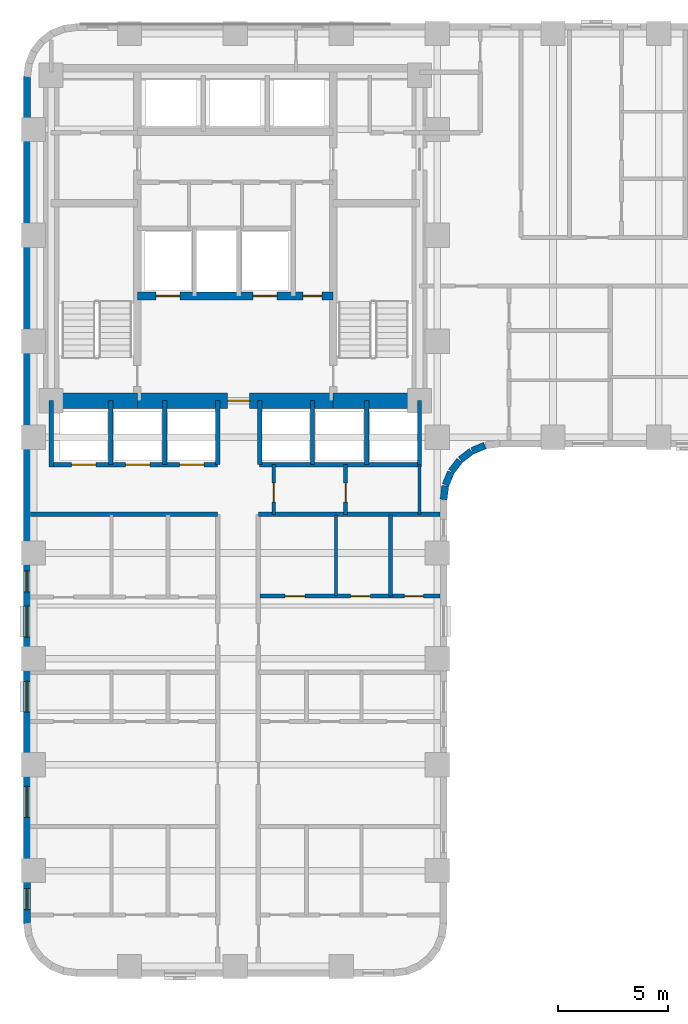
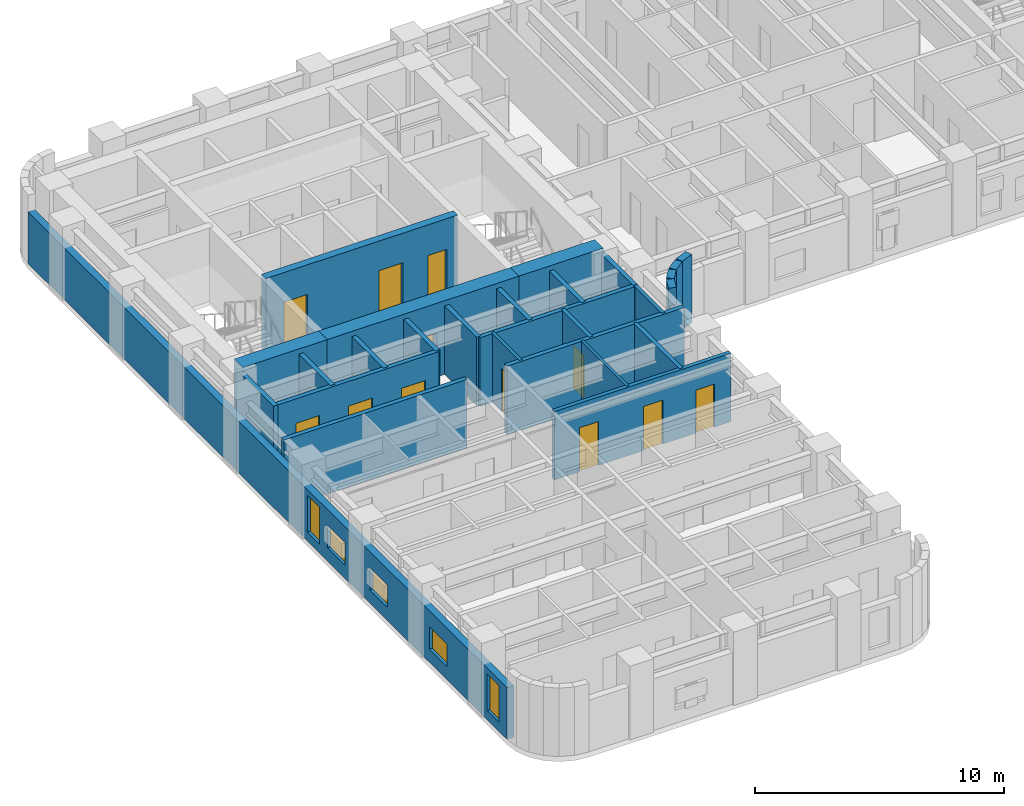
# One storey, part 4 of 11: 28 walls, 12 doors, 5 windows, 17 openings.
"""IFC4 building model written with IfcOpenShell, lengths in metres."""

from ifc_helpers import new_model, si_unit, direction, frame, frame_2d, origin, place, context, subcontext, project, spatial, rectangle, extrude, material, layer, layer_set, type_object, element, fill, save


model = new_model("IFC4")

# Units and contexts
model_context = context("Model", 3, precision=1e-05, world=origin(), true_north=direction((0.0, 1.0)))
body_context = subcontext(model_context, "Body", "Model", "MODEL_VIEW")
ifc_project = project(units=[si_unit("LENGTHUNIT", "METRE"), si_unit("AREAUNIT", "SQUARE_METRE"), si_unit("VOLUMEUNIT", "CUBIC_METRE"), si_unit("PLANEANGLEUNIT", "RADIAN"), si_unit("MASSUNIT", "GRAM", prefix="KILO")], contexts=[model_context])

# Site, building, storey
site_placement = place(None, origin())
site = spatial("IfcSite", under=ifc_project, at=site_placement, CompositionType="ELEMENT")
building_placement = place(site_placement, origin())
building = spatial("IfcBuilding", under=site, at=building_placement, Name="Orvandelia Arch Residences", CompositionType="ELEMENT")
storey_placement = place(building_placement, frame((0.0, 0.0, 25.0)))
storey = spatial("IfcBuildingStorey", under=building, at=storey_placement, Name="L05", CompositionType="ELEMENT", Elevation=25.0)

# Wall, openings, doors
ifc_material_1 = material(Name="Concrete C50/60", Category="concrete")
ifc_layer_1 = layer(ifc_material_1, 0.35009765625, Name="Concrete C50/60", Category="concrete")
ifc_layer_set_1 = layer_set([ifc_layer_1], Name="Concrete C50/60")
wall_type_1 = type_object("IfcWallType", Name="WL-CORE-350", PredefinedType="SHEAR", material=ifc_layer_set_1)
wall_1_placement = place(storey_placement, frame((9.9599609375, 35.64990234375, 0.0), z_axis=(0.0, 0.0, 1.0), x_axis=(1.0, 0.0, 0.0)))
wall_1 = element("IfcWall", 1, at=wall_1_placement, inside=storey, type_object=wall_type_1, Name="Core Shear Wall L05-HZ3", PredefinedType="SHEAR", context=body_context, shape_type="SweptSolid", body=[
    extrude(rectangle(XDim=8.880126953125, YDim=0.35009765625, at=frame_2d((4.43994140625, 0.0))), origin(), (0.0, 0.0, 1.0), 3.60009765625),
])
opening_1_placement = place(wall_1_placement, frame((0.840087890625, 0.0, 0.0)))
opening_1 = element("IfcOpeningElement", 2, at=opening_1_placement, cuts=wall_1, Name="Opening FLD", PredefinedType="OPENING", context=body_context, shape_type="SweptSolid", body=[
    extrude(rectangle(XDim=1.10009765625, YDim=2.14990234375, at=frame_2d((0.550048828125, 1.074951171875))), frame((0.0, 0.18505859375, 0.0), z_axis=(0.0, -1.0, 0.0), x_axis=(1.0, 0.0, 0.0)), (0.0, 0.0, 1.0), 0.3701171875),
])
opening_2_placement = place(wall_1_placement, frame((5.239990234375, 0.0, 0.0)))
opening_2 = element("IfcOpeningElement", 3, at=opening_2_placement, cuts=wall_1, Name="Opening FLD", PredefinedType="OPENING", context=body_context, shape_type="SweptSolid", body=[
    extrude(rectangle(XDim=1.10009765625, YDim=2.14990234375, at=frame_2d((0.550048828125, 1.074951171875))), frame((0.0, 0.18505859375, 0.0), z_axis=(0.0, -1.0, 0.0), x_axis=(1.0, 0.0, 0.0)), (0.0, 0.0, 1.0), 0.3701171875),
])
opening_3_placement = place(wall_1_placement, frame((7.5, 0.0, 0.0)))
opening_3 = element("IfcOpeningElement", 4, at=opening_3_placement, cuts=wall_1, Name="Opening D5", PredefinedType="OPENING", context=body_context, shape_type="SweptSolid", body=[
    extrude(rectangle(XDim=0.8798828125, YDim=2.10009765625, at=frame_2d((0.43994140625, 1.050048828125))), frame((0.0, 0.18505859375, 0.0), z_axis=(0.0, -1.0, 0.0), x_axis=(1.0, 0.0, 0.0)), (0.0, 0.0, 1.0), 0.3701171875),
])
ifc_material_2 = material(Name="Firefighting Lift Stainless Sliding Door")
door_type_1 = type_object("IfcDoorType", Name="DR-FLFT-1100", OperationType="NOTDEFINED", PredefinedType="DOOR", material=ifc_material_2)
door_1_placement = place(opening_1_placement, origin())
door_1 = element("IfcDoor", 5, at=door_1_placement, inside=storey, type_object=door_type_1, Name="Firefighting Lift Landing Door FLD-FL1-L05", OperationType="SLIDING_TO_LEFT", OverallHeight=2.14990234375, OverallWidth=1.10009765625, PredefinedType="DOOR", context=body_context, shape_type="SweptSolid", body=[
    extrude(rectangle(XDim=1.10009765625, YDim=2.14990234375, at=frame_2d((0.550048828125, 1.074951171875))), frame((0.0, 0.02490234375, 0.0), z_axis=(0.0, -1.0, 0.0), x_axis=(1.0, 0.0, 0.0)), (0.0, 0.0, 1.0), 0.050048828125),
])
fill(opening_1, door_1)
door_2_placement = place(opening_2_placement, origin())
door_2 = element("IfcDoor", 6, at=door_2_placement, inside=storey, type_object=door_type_1, Name="Firefighting Lift Landing Door FLD-FL2-L05", OperationType="SLIDING_TO_RIGHT", OverallHeight=2.14990234375, OverallWidth=1.10009765625, PredefinedType="DOOR", context=body_context, shape_type="SweptSolid", body=[
    extrude(rectangle(XDim=1.10009765625, YDim=2.14990234375, at=frame_2d((0.550048828125, 1.074951171875))), frame((0.0, 0.02490234375, 0.0), z_axis=(0.0, -1.0, 0.0), x_axis=(1.0, 0.0, 0.0)), (0.0, 0.0, 1.0), 0.050048828125),
])
fill(opening_2, door_2)
ifc_material_3 = material(Name="Painted Galvanised Steel Service Door", Category="steel")
door_type_2 = type_object("IfcDoorType", Name="DR-SRV-880", OperationType="NOTDEFINED", PredefinedType="DOOR", material=ifc_material_3)
door_3_placement = place(opening_3_placement, origin())
door_3 = element("IfcDoor", 7, at=door_3_placement, inside=storey, type_object=door_type_2, Name="Core Stairway Passage South Fire Door L05", OperationType="SINGLE_SWING_LEFT", OverallHeight=2.10009765625, OverallWidth=0.8798828125, PredefinedType="DOOR", context=body_context, shape_type="SweptSolid", body=[
    extrude(rectangle(XDim=0.8798828125, YDim=2.10009765625, at=frame_2d((0.43994140625, 1.050048828125))), frame((0.0, 0.02490234375, 0.0), z_axis=(0.0, -1.0, 0.0), x_axis=(1.0, 0.0, 0.0)), (0.0, 0.0, 1.0), 0.050048828125),
])
fill(opening_3, door_3)

# Wall
ifc_material_4 = material(Name="Concrete C80/95", Category="concrete")
ifc_layer_2 = layer(ifc_material_4, 0.699951171875, Name="Concrete C80/95", Category="concrete")
ifc_layer_set_2 = layer_set([ifc_layer_2], Name="Concrete C80/95")
wall_type_2 = type_object("IfcWallType", Name="WL-CORE-700", PredefinedType="SHEAR", material=ifc_layer_set_2)
wall_2_placement = place(storey_placement, frame((6.050048828125, 30.89990234375, 0.0), z_axis=(0.0, 0.0, 1.0), x_axis=(1.0, 0.0, 0.0)))
element("IfcWall", 8, at=wall_2_placement, inside=storey, type_object=wall_type_2, Name="Core Shear Wall L05-SW", PredefinedType="SHEAR", context=body_context, shape_type="SweptSolid", body=[
    extrude(rectangle(XDim=3.909912109375, YDim=0.699951171875, at=frame_2d((1.955078125, 0.0))), origin(), (0.0, 0.0, 1.0), 3.60009765625),
])

# Wall, opening, door
wall_3_placement = place(storey_placement, frame((9.9599609375, 30.89990234375, 0.0), z_axis=(0.0, 0.0, 1.0), x_axis=(1.0, 0.0, 0.0)))
wall_3 = element("IfcWall", 9, at=wall_3_placement, inside=storey, type_object=wall_type_2, Name="Core Shear Wall L05-SM", PredefinedType="SHEAR", context=body_context, shape_type="SweptSolid", body=[
    extrude(rectangle(XDim=8.880126953125, YDim=0.699951171875, at=frame_2d((4.43994140625, 0.0))), origin(), (0.0, 0.0, 1.0), 3.60009765625),
])
opening_4_placement = place(wall_3_placement, frame((4.090087890625, 0.0, 0.0)))
opening_4 = element("IfcOpeningElement", 10, at=opening_4_placement, cuts=wall_3, Name="Opening D6", PredefinedType="OPENING", context=body_context, shape_type="SweptSolid", body=[
    extrude(rectangle(XDim=1.0, YDim=2.14990234375, at=frame_2d((0.5, 1.074951171875))), frame((0.0, 0.35986328125, 0.0), z_axis=(0.0, -1.0, 0.0), x_axis=(1.0, 0.0, 0.0)), (0.0, 0.0, 1.0), 0.719970703125),
])
ifc_material_5 = material(Name="Smokeproof Painted Steel Fire Door", Category="steel")
door_type_3 = type_object("IfcDoorType", Name="DR-FD60-1000", OperationType="NOTDEFINED", PredefinedType="DOOR", material=ifc_material_5)
door_4_placement = place(opening_4_placement, origin())
door_4 = element("IfcDoor", 11, at=door_4_placement, inside=storey, type_object=door_type_3, Name="Firefighting Lobby Smokeproof Door L05", OperationType="SINGLE_SWING_LEFT", OverallHeight=2.14990234375, OverallWidth=1.0, PredefinedType="DOOR", context=body_context, shape_type="SweptSolid", body=[
    extrude(rectangle(XDim=1.0, YDim=2.14990234375, at=frame_2d((0.5, 1.074951171875))), frame((0.0, 0.02490234375, 0.0), z_axis=(0.0, -1.0, 0.0), x_axis=(1.0, 0.0, 0.0)), (0.0, 0.0, 1.0), 0.050048828125),
])
fill(opening_4, door_4)

# Walls
wall_4_placement = place(storey_placement, frame((18.840087890625, 30.89990234375, 0.0), z_axis=(0.0, 0.0, 1.0), x_axis=(1.0, 0.0, 0.0)))
element("IfcWall", 12, at=wall_4_placement, inside=storey, type_object=wall_type_2, Name="Core Shear Wall L05-SE", PredefinedType="SHEAR", context=body_context, shape_type="SweptSolid", body=[
    extrude(rectangle(XDim=3.909912109375, YDim=0.699951171875, at=frame_2d((1.955078125, 0.0))), origin(), (0.0, 0.0, 1.0), 3.60009765625),
])
ifc_material_6 = material(Name="Fire-Rated Corridor Partition")
ifc_layer_3 = layer(ifc_material_6, 0.199951171875, Name="Fire-Rated Corridor Partition")
ifc_layer_set_3 = layer_set([ifc_layer_3], Name="Fire-Rated Corridor Partition")
wall_type_3 = type_object("IfcWallType", Name="WL-CORR-200", PredefinedType="PARTITIONING", material=ifc_layer_set_3)
wall_5_placement = place(storey_placement, frame((5.1201171875, 25.75, 0.0), z_axis=(0.0, 0.0, 1.0), x_axis=(1.0, 0.0, 0.0)))
element("IfcWall", 13, at=wall_5_placement, inside=storey, type_object=wall_type_3, Name="Interior Partition Wall WL-L05-WCLS-W", PredefinedType="PARTITIONING", context=body_context, shape_type="SweptSolid", body=[
    extrude(rectangle(XDim=8.47998046875, YDim=0.199951171875, at=frame_2d((4.239990234375, 0.0))), origin(), (0.0, 0.0, 1.0), 3.35009765625),
])
wall_6_placement = place(storey_placement, frame((15.449951171875, 25.75, 0.0), z_axis=(0.0, 0.0, 1.0), x_axis=(1.0, 0.0, 0.0)))
element("IfcWall", 14, at=wall_6_placement, inside=storey, type_object=wall_type_3, Name="Interior Partition Wall WL-L05-WCLS-E", PredefinedType="PARTITIONING", context=body_context, shape_type="SweptSolid", body=[
    extrude(rectangle(XDim=8.22998046875, YDim=0.199951171875, at=frame_2d((4.114990234375, 0.0))), origin(), (0.0, 0.0, 1.0), 3.35009765625),
])
ifc_material_7 = material(Name="Precast concrete C40/50", Category="concrete")
ifc_layer_4 = layer(ifc_material_7, 0.320068359375, Name="Precast concrete C40/50", Category="concrete")
ifc_layer_set_4 = layer_set([ifc_layer_4], Name="Precast concrete C40/50")
wall_type_4 = type_object("IfcWallType", Name="WL-EXT-STONE-320", PredefinedType="STANDARD", material=ifc_layer_set_4)
wall_7_placement = place(storey_placement, frame((25.717529296875, 28.865966796875, 0.0), z_axis=(0.0, 0.0, 1.0), x_axis=(-0.923836271867, -0.382787856107, 0.0)))
element("IfcWall", 15, at=wall_7_placement, inside=storey, type_object=wall_type_4, Name="Coral-Limestone Precast Facade Wall L05-023", PredefinedType="STANDARD", context=body_context, shape_type="SweptSolid", body=[
    extrude(rectangle(XDim=0.626220703125, YDim=0.320068359375, at=frame_2d((0.31298828125, 0.0))), origin(), (0.0, 0.0, 1.0), 3.35009765625),
])
for number, where, z_axis, x_axis, name in (
    (16, (25.1025390625, 28.60546875, 0.0), (0.0, 0.0, 1.0), (-0.793405610854, -0.608693302629, 0.0), "Coral-Limestone Precast Facade Wall L05-024"),
    (17, (24.575927734375, 28.194580078125, 0.0), (0.0, 0.0, 1.0), (-0.608693302629, -0.793405610854, 0.0), "Coral-Limestone Precast Facade Wall L05-025"),
):
    element("IfcWall", number, at=place(storey_placement, frame(where, z_axis=z_axis, x_axis=x_axis)), inside=storey, type_object=wall_type_4, Name=name, PredefinedType="STANDARD", context=body_context, shape_type="SweptSolid", body=[
        extrude(rectangle(XDim=0.62646484375, YDim=0.320068359375, at=frame_2d((0.313232421875, 0.0))), origin(), (0.0, 0.0, 1.0), 3.35009765625),
    ])
wall_8_placement = place(storey_placement, frame((24.173583984375, 27.6611328125, 0.0), z_axis=(0.0, 0.0, 1.0), x_axis=(-0.382455093999, -0.923974080304, 0.0)))
element("IfcWall", 18, at=wall_8_placement, inside=storey, type_object=wall_type_4, Name="Coral-Limestone Precast Facade Wall L05-026", PredefinedType="STANDARD", context=body_context, shape_type="SweptSolid", body=[
    extrude(rectangle(XDim=0.626220703125, YDim=0.320068359375, at=frame_2d((0.31298828125, 0.0))), origin(), (0.0, 0.0, 1.0), 3.35009765625),
])
wall_9_placement = place(storey_placement, frame((23.923095703125, 27.0419921875, 0.0), z_axis=(0.0, 0.0, 1.0), x_axis=(-0.130555323746, -0.9914410257, 0.0)))
element("IfcWall", 19, at=wall_9_placement, inside=storey, type_object=wall_type_4, Name="Coral-Limestone Precast Facade Wall L05-027", PredefinedType="STANDARD", context=body_context, shape_type="SweptSolid", body=[
    extrude(rectangle(XDim=0.62646484375, YDim=0.320068359375, at=frame_2d((0.313232421875, 0.0))), origin(), (0.0, 0.0, 1.0), 2.530029296875),
])

# Wall, openings, windows
wall_10_placement = place(storey_placement, frame((4.9599609375, 7.199951171875, 0.0), z_axis=(0.0, 0.0, 1.0), x_axis=(0.0, 1.0, 0.0)))
wall_10 = element("IfcWall", 20, at=wall_10_placement, inside=storey, type_object=wall_type_4, Name="Coral-Limestone Precast Facade Wall L05-042", PredefinedType="STANDARD", context=body_context, shape_type="SweptSolid", body=[
    extrude(rectangle(XDim=38.400146484375, YDim=0.320068359375, at=frame_2d((19.2001953125, 0.0))), origin(), (0.0, 0.0, 1.0), 2.530029296875),
])
opening_5_placement = place(wall_10_placement, frame((0.635009765625, 0.0, 0.449951171875)))
opening_5 = element("IfcOpeningElement", 21, at=opening_5_placement, cuts=wall_10, Name="Opening W4", PredefinedType="OPENING", context=body_context, shape_type="SweptSolid", body=[
    extrude(rectangle(XDim=0.949951171875, YDim=1.800048828125, at=frame_2d((0.47509765625, 0.89990234375))), frame((0.0, 0.169921875, 0.0), z_axis=(0.0, -1.0, 0.0), x_axis=(1.0, 0.0, 0.0)), (0.0, 0.0, 1.0), 0.340087890625),
])
opening_6_placement = place(wall_10_placement, frame((9.580078125, 0.0, 0.64990234375)))
opening_6 = element("IfcOpeningElement", 22, at=opening_6_placement, cuts=wall_10, Name="Opening W10", PredefinedType="OPENING", context=body_context, shape_type="SweptSolid", body=[
    extrude(rectangle(XDim=1.39990234375, YDim=1.10009765625, at=frame_2d((0.699951171875, 0.550048828125))), frame((0.0, 0.169921875, 0.0), z_axis=(0.0, -1.0, 0.0), x_axis=(1.0, 0.0, 0.0)), (0.0, 0.0, 1.0), 0.340087890625),
])
opening_7_placement = place(wall_10_placement, frame((15.0400390625, 0.0, 0.449951171875)))
opening_7 = element("IfcOpeningElement", 23, at=opening_7_placement, cuts=wall_10, Name="Opening W4", PredefinedType="OPENING", context=body_context, shape_type="SweptSolid", body=[
    extrude(rectangle(XDim=0.949951171875, YDim=1.800048828125, at=frame_2d((0.47509765625, 0.89990234375))), frame((0.0, 0.169921875, 0.0), z_axis=(0.0, -1.0, 0.0), x_axis=(1.0, 0.0, 0.0)), (0.0, 0.0, 1.0), 0.340087890625),
])
opening_8_placement = place(wall_10_placement, frame((4.81494140625, 0.0, 0.64990234375)))
opening_8 = element("IfcOpeningElement", 24, at=opening_8_placement, cuts=wall_10, Name="Opening W10", PredefinedType="OPENING", context=body_context, shape_type="SweptSolid", body=[
    extrude(rectangle(XDim=1.39990234375, YDim=1.10009765625, at=frame_2d((0.699951171875, 0.550048828125))), frame((0.0, 0.169921875, 0.0), z_axis=(0.0, -1.0, 0.0), x_axis=(1.0, 0.0, 0.0)), (0.0, 0.0, 1.0), 0.340087890625),
])
opening_9_placement = place(wall_10_placement, frame((12.985107421875, 0.0, 0.64990234375)))
opening_9 = element("IfcOpeningElement", 25, at=opening_9_placement, cuts=wall_10, Name="Opening W10", PredefinedType="OPENING", context=body_context, shape_type="SweptSolid", body=[
    extrude(rectangle(XDim=1.39990234375, YDim=1.10009765625, at=frame_2d((0.699951171875, 0.550048828125))), frame((0.0, 0.169921875, 0.0), z_axis=(0.0, -1.0, 0.0), x_axis=(1.0, 0.0, 0.0)), (0.0, 0.0, 1.0), 0.340087890625),
])
ifc_material_8 = material(Name="Tempered Low-E Insulated Glazing", Category="glass")
window_type_1 = type_object("IfcWindowType", Name="WIN-CLR-1400x1100", PartitioningType="SINGLE_PANEL", PredefinedType="WINDOW", material=ifc_material_8)
window_1_placement = place(opening_6_placement, origin())
window_1 = element("IfcWindow", 26, at=window_1_placement, inside=storey, type_object=window_type_1, Name="Recessed Punched Window L05-030", OverallHeight=1.10009765625, OverallWidth=1.39990234375, PartitioningType="SINGLE_PANEL", PredefinedType="WINDOW", context=body_context, shape_type="SweptSolid", body=[
    extrude(rectangle(XDim=1.39990234375, YDim=1.10009765625, at=frame_2d((0.699951171875, 0.550048828125))), frame((0.0, 0.030029296875, 0.0), z_axis=(0.0, -1.0, 0.0), x_axis=(1.0, 0.0, 0.0)), (0.0, 0.0, 1.0), 0.06005859375),
])
fill(opening_6, window_1)
window_2_placement = place(opening_8_placement, origin())
window_2 = element("IfcWindow", 27, at=window_2_placement, inside=storey, type_object=window_type_1, Name="Recessed Punched Window L05-032", OverallHeight=1.10009765625, OverallWidth=1.39990234375, PartitioningType="SINGLE_PANEL", PredefinedType="WINDOW", context=body_context, shape_type="SweptSolid", body=[
    extrude(rectangle(XDim=1.39990234375, YDim=1.10009765625, at=frame_2d((0.699951171875, 0.550048828125))), frame((0.0, 0.030029296875, 0.0), z_axis=(0.0, -1.0, 0.0), x_axis=(1.0, 0.0, 0.0)), (0.0, 0.0, 1.0), 0.06005859375),
])
fill(opening_8, window_2)
window_3_placement = place(opening_9_placement, origin())
window_3 = element("IfcWindow", 28, at=window_3_placement, inside=storey, type_object=window_type_1, Name="Recessed Punched Window L05-033", OverallHeight=1.10009765625, OverallWidth=1.39990234375, PartitioningType="SINGLE_PANEL", PredefinedType="WINDOW", context=body_context, shape_type="SweptSolid", body=[
    extrude(rectangle(XDim=1.39990234375, YDim=1.10009765625, at=frame_2d((0.699951171875, 0.550048828125))), frame((0.0, 0.030029296875, 0.0), z_axis=(0.0, -1.0, 0.0), x_axis=(1.0, 0.0, 0.0)), (0.0, 0.0, 1.0), 0.06005859375),
])
fill(opening_9, window_3)
window_type_2 = type_object("IfcWindowType", Name="WIN-RES-0950x1800", PartitioningType="SINGLE_PANEL", PredefinedType="WINDOW", material=ifc_material_8)
window_4_placement = place(opening_5_placement, origin())
window_4 = element("IfcWindow", 29, at=window_4_placement, inside=storey, type_object=window_type_2, Name="Recessed Punched Window L05-029", OverallHeight=1.800048828125, OverallWidth=0.949951171875, PartitioningType="SINGLE_PANEL", PredefinedType="WINDOW", context=body_context, shape_type="SweptSolid", body=[
    extrude(rectangle(XDim=0.949951171875, YDim=1.800048828125, at=frame_2d((0.47509765625, 0.89990234375))), frame((0.0, 0.030029296875, 0.0), z_axis=(0.0, -1.0, 0.0), x_axis=(1.0, 0.0, 0.0)), (0.0, 0.0, 1.0), 0.06005859375),
])
fill(opening_5, window_4)
window_5_placement = place(opening_7_placement, origin())
window_5 = element("IfcWindow", 30, at=window_5_placement, inside=storey, type_object=window_type_2, Name="Recessed Punched Window L05-031", OverallHeight=1.800048828125, OverallWidth=0.949951171875, PartitioningType="SINGLE_PANEL", PredefinedType="WINDOW", context=body_context, shape_type="SweptSolid", body=[
    extrude(rectangle(XDim=0.949951171875, YDim=1.800048828125, at=frame_2d((0.47509765625, 0.89990234375))), frame((0.0, 0.030029296875, 0.0), z_axis=(0.0, -1.0, 0.0), x_axis=(1.0, 0.0, 0.0)), (0.0, 0.0, 1.0), 0.06005859375),
])
fill(opening_7, window_5)

# Wall
ifc_material_9 = material(Name="Lightweight Gypsum Stud Partition")
ifc_layer_5 = layer(ifc_material_9, 0.1201171875, Name="Lightweight Gypsum Stud Partition")
ifc_layer_set_5 = layer_set([ifc_layer_5], Name="Lightweight Gypsum Stud Partition")
wall_type_5 = type_object("IfcWallType", Name="WL-PART-120", PredefinedType="PARTITIONING", material=ifc_layer_set_5)
wall_11_placement = place(storey_placement, frame((18.967041015625, 22.0400390625, 0.0), z_axis=(0.0, 0.0, 1.0), x_axis=(0.0, 1.0, 0.0)))
element("IfcWall", 31, at=wall_11_placement, inside=storey, type_object=wall_type_5, Name="Interior Partition Wall WL-L05-U06-V1", PredefinedType="PARTITIONING", context=body_context, shape_type="SweptSolid", body=[
    extrude(rectangle(XDim=3.679931640625, YDim=0.1201171875, at=frame_2d((1.83984375, 0.0))), origin(), (0.0, 0.0, 1.0), 3.35009765625),
])

# Wall, opening, door
ifc_material_10 = material(Name="Acoustic Gypsum Stud Partition")
ifc_layer_6 = layer(ifc_material_10, 0.14990234375, Name="Acoustic Gypsum Stud Partition")
ifc_layer_set_6 = layer_set([ifc_layer_6], Name="Acoustic Gypsum Stud Partition")
wall_type_6 = type_object("IfcWallType", Name="WL-PART-150", PredefinedType="PARTITIONING", material=ifc_layer_set_6)
wall_12_placement = place(storey_placement, frame((16.14990234375, 25.75, 0.0), z_axis=(0.0, 0.0, 1.0), x_axis=(0.0, 1.0, 0.0)))
wall_12 = element("IfcWall", 32, at=wall_12_placement, inside=storey, type_object=wall_type_6, Name="Interior Partition Wall WL-L05-HLS-EW", PredefinedType="PARTITIONING", context=body_context, shape_type="SweptSolid", body=[
    extrude(rectangle(XDim=2.25, YDim=0.14990234375, at=frame_2d((1.125, 0.0))), origin(), (0.0, 0.0, 1.0), 3.35009765625),
])
opening_10_placement = place(wall_12_placement, frame((0.550048828125, 0.0, 0.0)))
opening_10 = element("IfcOpeningElement", 33, at=opening_10_placement, cuts=wall_12, Name="Opening D5", PredefinedType="OPENING", context=body_context, shape_type="SweptSolid", body=[
    extrude(rectangle(XDim=0.8798828125, YDim=2.10009765625, at=frame_2d((0.43994140625, 1.050048828125))), frame((0.0, 0.0849609375, 0.0), z_axis=(0.0, -1.0, 0.0), x_axis=(1.0, 0.0, 0.0)), (0.0, 0.0, 1.0), 0.169921875),
])
door_5_placement = place(opening_10_placement, origin())
door_5 = element("IfcDoor", 34, at=door_5_placement, inside=storey, type_object=door_type_2, Name="DR-L05-CSZ1A", OperationType="SINGLE_SWING_LEFT", OverallHeight=2.10009765625, OverallWidth=0.8798828125, PredefinedType="DOOR", context=body_context, shape_type="SweptSolid", body=[
    extrude(rectangle(XDim=0.8798828125, YDim=2.10009765625, at=frame_2d((0.43994140625, 1.050048828125))), frame((0.0, 0.02490234375, 0.0), z_axis=(0.0, -1.0, 0.0), x_axis=(1.0, 0.0, 0.0)), (0.0, 0.0, 1.0), 0.050048828125),
])
fill(opening_10, door_5)

# Wall
wall_13_placement = place(storey_placement, frame((22.75, 25.75, 0.0), z_axis=(0.0, 0.0, 1.0), x_axis=(0.0, 1.0, 0.0)))
element("IfcWall", 35, at=wall_13_placement, inside=storey, type_object=wall_type_6, Name="Interior Partition Wall WL-L05-HLS-EE", PredefinedType="PARTITIONING", context=body_context, shape_type="SweptSolid", body=[
    extrude(rectangle(XDim=2.25, YDim=0.14990234375, at=frame_2d((1.125, 0.0))), origin(), (0.0, 0.0, 1.0), 3.35009765625),
])

# Wall, openings, doors
ifc_material_11 = material(Name="Fire-Rated Shaft Enclosure Wall")
ifc_layer_7 = layer(ifc_material_11, 0.199951171875, Name="Fire-Rated Shaft Enclosure Wall")
ifc_layer_set_7 = layer_set([ifc_layer_7], Name="Fire-Rated Shaft Enclosure Wall")
wall_type_7 = type_object("IfcWallType", Name="WL-SHAFT-200", PredefinedType="POLYGONAL", material=ifc_layer_set_7)
wall_14_placement = place(storey_placement, frame((6.050048828125, 28.0, 0.0), z_axis=(0.0, 0.0, 1.0), x_axis=(1.0, 0.0, 0.0)))
wall_14 = element("IfcWall", 36, at=wall_14_placement, inside=storey, type_object=wall_type_7, Name="Interior Partition Wall WL-L05-BNKL-S", PredefinedType="POLYGONAL", context=body_context, shape_type="SweptSolid", body=[
    extrude(rectangle(XDim=7.550048828125, YDim=0.199951171875, at=frame_2d((3.77490234375, 0.0))), origin(), (0.0, 0.0, 1.0), 3.35009765625),
])
opening_11_placement = place(wall_14_placement, frame((0.925048828125, 0.0, 0.0)))
opening_11 = element("IfcOpeningElement", 37, at=opening_11_placement, cuts=wall_14, Name="Opening LD", PredefinedType="OPENING", context=body_context, shape_type="SweptSolid", body=[
    extrude(rectangle(XDim=1.10009765625, YDim=2.14990234375, at=frame_2d((0.550048828125, 1.074951171875))), frame((0.0, 0.10986328125, 0.0), z_axis=(0.0, -1.0, 0.0), x_axis=(1.0, 0.0, 0.0)), (0.0, 0.0, 1.0), 0.219970703125),
])
opening_12_placement = place(wall_14_placement, frame((3.375, 0.0, 0.0)))
opening_12 = element("IfcOpeningElement", 38, at=opening_12_placement, cuts=wall_14, Name="Opening LD", PredefinedType="OPENING", context=body_context, shape_type="SweptSolid", body=[
    extrude(rectangle(XDim=1.10009765625, YDim=2.14990234375, at=frame_2d((0.550048828125, 1.074951171875))), frame((0.0, 0.10986328125, 0.0), z_axis=(0.0, -1.0, 0.0), x_axis=(1.0, 0.0, 0.0)), (0.0, 0.0, 1.0), 0.219970703125),
])
opening_13_placement = place(wall_14_placement, frame((5.824951171875, 0.0, 0.0)))
opening_13 = element("IfcOpeningElement", 39, at=opening_13_placement, cuts=wall_14, Name="Opening LD", PredefinedType="OPENING", context=body_context, shape_type="SweptSolid", body=[
    extrude(rectangle(XDim=1.10009765625, YDim=2.14990234375, at=frame_2d((0.550048828125, 1.074951171875))), frame((0.0, 0.10986328125, 0.0), z_axis=(0.0, -1.0, 0.0), x_axis=(1.0, 0.0, 0.0)), (0.0, 0.0, 1.0), 0.219970703125),
])
ifc_material_12 = material(Name="Brushed Stainless Steel Sliding Lift Door", Category="steel")
door_type_4 = type_object("IfcDoorType", Name="DR-LIFT-1100", OperationType="NOTDEFINED", PredefinedType="DOOR", material=ifc_material_12)
door_6_placement = place(opening_11_placement, origin())
door_6 = element("IfcDoor", 40, at=door_6_placement, inside=storey, type_object=door_type_4, Name="Lift Landing Door LD-PL1", OperationType="SLIDING_TO_LEFT", OverallHeight=2.14990234375, OverallWidth=1.10009765625, PredefinedType="DOOR", context=body_context, shape_type="SweptSolid", body=[
    extrude(rectangle(XDim=1.10009765625, YDim=2.14990234375, at=frame_2d((0.550048828125, 1.074951171875))), frame((0.0, 0.02490234375, 0.0), z_axis=(0.0, -1.0, 0.0), x_axis=(1.0, 0.0, 0.0)), (0.0, 0.0, 1.0), 0.050048828125),
])
fill(opening_11, door_6)
door_7_placement = place(opening_12_placement, origin())
door_7 = element("IfcDoor", 41, at=door_7_placement, inside=storey, type_object=door_type_4, Name="Lift Landing Door LD-PL2", OperationType="SLIDING_TO_RIGHT", OverallHeight=2.14990234375, OverallWidth=1.10009765625, PredefinedType="DOOR", context=body_context, shape_type="SweptSolid", body=[
    extrude(rectangle(XDim=1.10009765625, YDim=2.14990234375, at=frame_2d((0.550048828125, 1.074951171875))), frame((0.0, 0.02490234375, 0.0), z_axis=(0.0, -1.0, 0.0), x_axis=(1.0, 0.0, 0.0)), (0.0, 0.0, 1.0), 0.050048828125),
])
fill(opening_12, door_7)
door_8_placement = place(opening_13_placement, origin())
door_8 = element("IfcDoor", 42, at=door_8_placement, inside=storey, type_object=door_type_4, Name="Lift Landing Door LD-PL3", OperationType="SLIDING_TO_LEFT", OverallHeight=2.14990234375, OverallWidth=1.10009765625, PredefinedType="DOOR", context=body_context, shape_type="SweptSolid", body=[
    extrude(rectangle(XDim=1.10009765625, YDim=2.14990234375, at=frame_2d((0.550048828125, 1.074951171875))), frame((0.0, 0.02490234375, 0.0), z_axis=(0.0, -1.0, 0.0), x_axis=(1.0, 0.0, 0.0)), (0.0, 0.0, 1.0), 0.050048828125),
])
fill(opening_13, door_8)

# Walls
wall_15_placement = place(storey_placement, frame((15.5, 28.0, 0.0), z_axis=(0.0, 0.0, 1.0), x_axis=(1.0, 0.0, 0.0)))
element("IfcWall", 43, at=wall_15_placement, inside=storey, type_object=wall_type_7, Name="Interior Partition Wall WL-L05-BNKM-S", PredefinedType="POLYGONAL", context=body_context, shape_type="SweptSolid", body=[
    extrude(rectangle(XDim=7.25, YDim=0.199951171875, at=frame_2d((3.625, 0.0))), origin(), (0.0, 0.0, 1.0), 3.35009765625),
])
for number, where, z_axis, x_axis, name in (
    (44, (6.050048828125, 27.89990234375, 0.0), (0.0, 0.0, 1.0), (0.0, 1.0, 0.0), "Interior Partition Wall WL-L05-BNKL-W"),
    (45, (22.75, 27.89990234375, 0.0), (0.0, 0.0, 1.0), (0.0, 1.0, 0.0), "Interior Partition Wall WL-L05-BNKM-E"),
):
    element("IfcWall", number, at=place(storey_placement, frame(where, z_axis=z_axis, x_axis=x_axis)), inside=storey, type_object=wall_type_7, Name=name, PredefinedType="POLYGONAL", context=body_context, shape_type="SweptSolid", body=[
        extrude(rectangle(XDim=3.0, YDim=0.199951171875, at=frame_2d((1.5, 0.0))), origin(), (0.0, 0.0, 1.0), 3.35009765625),
    ])
for number, where, z_axis, x_axis, name in (
    (46, (13.60009765625, 28.0, 0.0), (0.0, 0.0, 1.0), (0.0, 1.0, 0.0), "Interior Partition Wall WL-L05-BNKL-E"),
    (47, (15.5, 28.0, 0.0), (0.0, 0.0, 1.0), (0.0, 1.0, 0.0), "Interior Partition Wall WL-L05-BNKM-W"),
    (48, (8.75, 28.0, 0.0), (0.0, 0.0, 1.0), (0.0, 1.0, 0.0), "Interior Partition Wall WL-L05-BNKD-875"),
    (49, (11.199951171875, 28.0, 0.0), (0.0, 0.0, 1.0), (0.0, 1.0, 0.0), "Interior Partition Wall WL-L05-BNKD-1120"),
    (50, (17.89990234375, 28.0, 0.0), (0.0, 0.0, 1.0), (0.0, 1.0, 0.0), "Interior Partition Wall WL-L05-BNKD-1789"),
    (51, (20.35009765625, 28.0, 0.0), (0.0, 0.0, 1.0), (0.0, 1.0, 0.0), "Interior Partition Wall WL-L05-BNKD-2035"),
):
    element("IfcWall", number, at=place(storey_placement, frame(where, z_axis=z_axis, x_axis=x_axis)), inside=storey, type_object=wall_type_7, Name=name, PredefinedType="POLYGONAL", context=body_context, shape_type="SweptSolid", body=[
        extrude(rectangle(XDim=2.89990234375, YDim=0.199951171875, at=frame_2d((1.449951171875, 0.0))), origin(), (0.0, 0.0, 1.0), 3.35009765625),
    ])

# Wall, opening, door
ifc_material_13 = material(Name="Moisture-Resistant Plumbing Wall")
ifc_layer_8 = layer(ifc_material_13, 0.179931640625, Name="Moisture-Resistant Plumbing Wall")
ifc_layer_set_8 = layer_set([ifc_layer_8], Name="Moisture-Resistant Plumbing Wall")
wall_type_8 = type_object("IfcWallType", Name="WL-WET-180", PredefinedType="PLUMBINGWALL", material=ifc_layer_set_8)
wall_16_placement = place(storey_placement, frame((19.39990234375, 25.75, 0.0), z_axis=(0.0, 0.0, 1.0), x_axis=(0.0, 1.0, 0.0)))
wall_16 = element("IfcWall", 52, at=wall_16_placement, inside=storey, type_object=wall_type_8, Name="Interior Partition Wall WL-L05-HLS-ZM2", PredefinedType="PLUMBINGWALL", context=body_context, shape_type="SweptSolid", body=[
    extrude(rectangle(XDim=2.25, YDim=0.179931640625, at=frame_2d((1.125, 0.0))), origin(), (0.0, 0.0, 1.0), 3.35009765625),
])
opening_14_placement = place(wall_16_placement, frame((0.550048828125, 0.0, 0.0)))
opening_14 = element("IfcOpeningElement", 53, at=opening_14_placement, cuts=wall_16, Name="Opening D4", PredefinedType="OPENING", context=body_context, shape_type="SweptSolid", body=[
    extrude(rectangle(XDim=0.860107421875, YDim=2.10009765625, at=frame_2d((0.43017578125, 1.050048828125))), frame((0.0, 0.10009765625, 0.0), z_axis=(0.0, -1.0, 0.0), x_axis=(1.0, 0.0, 0.0)), (0.0, 0.0, 1.0), 0.199951171875),
])
ifc_material_14 = material(Name="Moisture-Sealed Timber Bathroom Door", Category="wood")
door_type_5 = type_object("IfcDoorType", Name="DR-WET-900", OperationType="NOTDEFINED", PredefinedType="DOOR", material=ifc_material_14)
door_9_placement = place(opening_14_placement, origin())
door_9 = element("IfcDoor", 54, at=door_9_placement, inside=storey, type_object=door_type_5, Name="DR-L05-CSZ1B", OperationType="SINGLE_SWING_LEFT", OverallHeight=2.10009765625, OverallWidth=0.860107421875, PredefinedType="DOOR", context=body_context, shape_type="SweptSolid", body=[
    extrude(rectangle(XDim=0.860107421875, YDim=2.10009765625, at=frame_2d((0.43017578125, 1.050048828125))), frame((0.0, 0.02490234375, 0.0), z_axis=(0.0, -1.0, 0.0), x_axis=(1.0, 0.0, 0.0)), (0.0, 0.0, 1.0), 0.050048828125),
])
fill(opening_14, door_9)

# Wall, openings, doors
wall_17_placement = place(storey_placement, frame((15.510009765625, 22.0400390625, 0.0), z_axis=(0.0, 0.0, 1.0), x_axis=(1.0, 0.0, 0.0)))
wall_17 = element("IfcWall", 55, at=wall_17_placement, inside=storey, type_object=wall_type_8, Name="Interior Partition Wall WL-L05-U06-HZ", PredefinedType="PLUMBINGWALL", context=body_context, shape_type="SweptSolid", body=[
    extrude(rectangle(XDim=8.169921875, YDim=0.179931640625, at=frame_2d((4.0849609375, 0.0))), origin(), (0.0, 0.0, 1.0), 3.35009765625),
])
opening_15_placement = place(wall_17_placement, frame((1.153564453125, 0.0, 0.0)))
opening_15 = element("IfcOpeningElement", 56, at=opening_15_placement, cuts=wall_17, Name="Opening D3", PredefinedType="OPENING", context=body_context, shape_type="SweptSolid", body=[
    extrude(rectangle(XDim=0.89990234375, YDim=2.14990234375, at=frame_2d((0.449951171875, 1.074951171875))), frame((0.0, 0.10009765625, 0.0), z_axis=(0.0, -1.0, 0.0), x_axis=(1.0, 0.0, 0.0)), (0.0, 0.0, 1.0), 0.199951171875),
])
opening_16_placement = place(wall_17_placement, frame((4.116455078125, 0.0, 0.0)))
opening_16 = element("IfcOpeningElement", 57, at=opening_16_placement, cuts=wall_17, Name="Opening D3", PredefinedType="OPENING", context=body_context, shape_type="SweptSolid", body=[
    extrude(rectangle(XDim=0.89990234375, YDim=2.14990234375, at=frame_2d((0.449951171875, 1.074951171875))), frame((0.0, 0.10009765625, 0.0), z_axis=(0.0, -1.0, 0.0), x_axis=(1.0, 0.0, 0.0)), (0.0, 0.0, 1.0), 0.199951171875),
])
opening_17_placement = place(wall_17_placement, frame((6.552978515625, 0.0, 0.0)))
opening_17 = element("IfcOpeningElement", 58, at=opening_17_placement, cuts=wall_17, Name="Opening D4", PredefinedType="OPENING", context=body_context, shape_type="SweptSolid", body=[
    extrude(rectangle(XDim=0.860107421875, YDim=2.10009765625, at=frame_2d((0.43017578125, 1.050048828125))), frame((0.0, 0.10009765625, 0.0), z_axis=(0.0, -1.0, 0.0), x_axis=(1.0, 0.0, 0.0)), (0.0, 0.0, 1.0), 0.199951171875),
])
ifc_material_15 = material(Name="Engineered Timber Flush Door", Category="wood")
door_type_6 = type_object("IfcDoorType", Name="DR-INT-900", OperationType="NOTDEFINED", PredefinedType="DOOR", material=ifc_material_15)
door_10_placement = place(opening_15_placement, origin())
door_10 = element("IfcDoor", 59, at=door_10_placement, inside=storey, type_object=door_type_6, Name="DR-L05-U06-STDY", OperationType="SINGLE_SWING_RIGHT", OverallHeight=2.14990234375, OverallWidth=0.89990234375, PredefinedType="DOOR", context=body_context, shape_type="SweptSolid", body=[
    extrude(rectangle(XDim=0.89990234375, YDim=2.14990234375, at=frame_2d((0.449951171875, 1.074951171875))), frame((0.0, 0.02490234375, 0.0), z_axis=(0.0, -1.0, 0.0), x_axis=(1.0, 0.0, 0.0)), (0.0, 0.0, 1.0), 0.050048828125),
])
fill(opening_15, door_10)
door_11_placement = place(opening_16_placement, origin())
door_11 = element("IfcDoor", 60, at=door_11_placement, inside=storey, type_object=door_type_6, Name="DR-L05-U06-KIT", OperationType="SINGLE_SWING_LEFT", OverallHeight=2.14990234375, OverallWidth=0.89990234375, PredefinedType="DOOR", context=body_context, shape_type="SweptSolid", body=[
    extrude(rectangle(XDim=0.89990234375, YDim=2.14990234375, at=frame_2d((0.449951171875, 1.074951171875))), frame((0.0, 0.02490234375, 0.0), z_axis=(0.0, -1.0, 0.0), x_axis=(1.0, 0.0, 0.0)), (0.0, 0.0, 1.0), 0.050048828125),
])
fill(opening_16, door_11)
door_12_placement = place(opening_17_placement, origin())
door_12 = element("IfcDoor", 61, at=door_12_placement, inside=storey, type_object=door_type_5, Name="DR-L05-U06-BTH", OperationType="SINGLE_SWING_RIGHT", OverallHeight=2.10009765625, OverallWidth=0.860107421875, PredefinedType="DOOR", context=body_context, shape_type="SweptSolid", body=[
    extrude(rectangle(XDim=0.860107421875, YDim=2.10009765625, at=frame_2d((0.43017578125, 1.050048828125))), frame((0.0, 0.02490234375, 0.0), z_axis=(0.0, -1.0, 0.0), x_axis=(1.0, 0.0, 0.0)), (0.0, 0.0, 1.0), 0.050048828125),
])
fill(opening_17, door_12)

# Wall
wall_18_placement = place(storey_placement, frame((21.43603515625, 22.0400390625, 0.0), z_axis=(0.0, 0.0, 1.0), x_axis=(0.0, 1.0, 0.0)))
element("IfcWall", 62, at=wall_18_placement, inside=storey, type_object=wall_type_8, Name="Interior Partition Wall WL-L05-U06-V2", PredefinedType="PLUMBINGWALL", context=body_context, shape_type="SweptSolid", body=[
    extrude(rectangle(XDim=3.679931640625, YDim=0.179931640625, at=frame_2d((1.83984375, 0.0))), origin(), (0.0, 0.0, 1.0), 3.35009765625),
])

save(model, "model.ifc")
